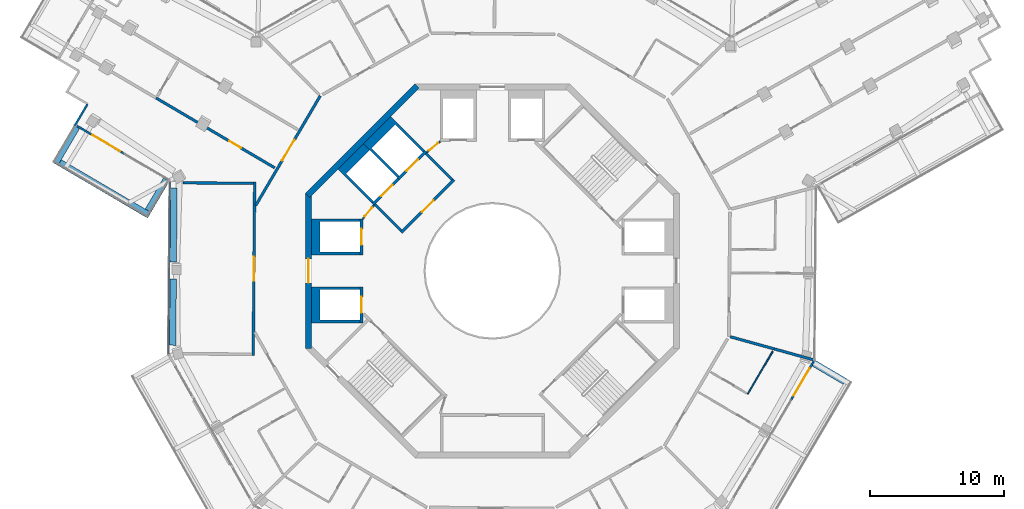
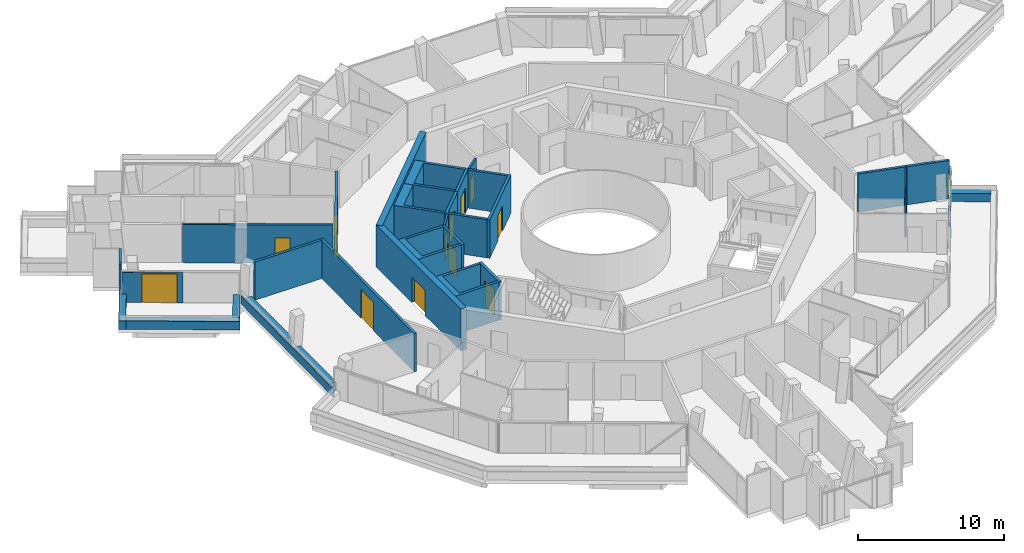
# One storey, part 18 of 24: 32 walls, 13 doors, 13 openings.
"""IFC4 building model written with IfcOpenShell, lengths in metres."""

from ifc_helpers import new_model, si_unit, direction, frame, frame_2d, origin, place, context, subcontext, project, spatial, polyline, rectangle, outline, extrude, material, layer, layer_set, type_object, element, fill, save


model = new_model("IFC4")

# Units and contexts
model_context = context("Model", 3, precision=1e-05, world=origin(), true_north=direction((0.0, 1.0)))
body_context = subcontext(model_context, "Body", "Model", "MODEL_VIEW")
ifc_project = project(units=[si_unit("LENGTHUNIT", "METRE"), si_unit("AREAUNIT", "SQUARE_METRE"), si_unit("VOLUMEUNIT", "CUBIC_METRE"), si_unit("PLANEANGLEUNIT", "RADIAN"), si_unit("MASSUNIT", "GRAM", prefix="KILO")], contexts=[model_context])

# Site, building, storey
site_placement = place(None, origin())
site = spatial("IfcSite", under=ifc_project, at=site_placement, CompositionType="ELEMENT")
building_placement = place(site_placement, origin())
building = spatial("IfcBuilding", under=site, at=building_placement, Name="Verdalira Terraces Hotel", CompositionType="ELEMENT")
storey_placement = place(building_placement, frame((0.0, 0.0, 277.5)))
storey = spatial("IfcBuildingStorey", under=building, at=storey_placement, Name="L68", CompositionType="ELEMENT", Elevation=277.5)

# Walls
ifc_material_1 = material(Name="Concrete C40", Category="concrete")
ifc_layer_1 = layer(ifc_material_1, 0.5)
ifc_layer_set_1 = layer_set([ifc_layer_1], Name="Balcony planter trough with tree")
wall_type_1 = type_object("IfcWallType", Name="Balcony planter trough with tree", PredefinedType="SOLIDWALL", material=ifc_layer_set_1)
wall_1_placement = place(storey_placement, frame((-31.130859, 10.779297, 0.0), z_axis=(0.0, 0.0, 1.0), x_axis=(-0.507226904, -0.861812548, 0.0)))
element("IfcWall", 1, at=wall_1_placement, inside=storey, type_object=wall_type_1, Name="Balcony planter", PredefinedType="SOLIDWALL", context=body_context, shape_type="SweptSolid", body=[
    extrude(rectangle(XDim=3.198975, YDim=0.5, at=frame_2d((1.599609, 0.0))), origin(), (0.0, 0.0, 1.0), 0.699951),
])
wall_2_placement = place(storey_placement, frame((-32.411133, 8.111084, 0.0), z_axis=(0.0, 0.0, 1.0), x_axis=(0.861799604, -0.507248896, 0.0)))
element("IfcWall", 2, at=wall_2_placement, inside=storey, type_object=wall_type_1, Name="Balcony planter", PredefinedType="SOLIDWALL", context=body_context, shape_type="SweptSolid", body=[
    extrude(rectangle(XDim=7.788086, YDim=0.5, at=frame_2d((3.894043, 0.0))), origin(), (0.0, 0.0, 1.0), 0.699951),
])
for number, where, z_axis, x_axis, name in (
    (3, (-25.788086, 4.50293, 0.0), (0.0, 0.0, 1.0), (0.507281009, 0.861780702, 0.0), "Balcony planter"),
    (4, (26.403076, -8.288086, 0.0), (0.0, 0.0, 1.0), (-0.861780702, 0.507281009, 0.0), "Balcony planter"),
):
    element("IfcWall", number, at=place(storey_placement, frame(where, z_axis=z_axis, x_axis=x_axis)), inside=storey, type_object=wall_type_1, Name=name, PredefinedType="SOLIDWALL", context=body_context, shape_type="SweptSolid", body=[
        extrude(rectangle(XDim=2.698975, YDim=0.5, at=frame_2d((1.349609, 0.0))), origin(), (0.0, 0.0, 1.0), 0.699951),
    ])
ifc_material_2 = material(Name="Moisture-resistant gypsum board partition")
ifc_layer_2 = layer(ifc_material_2, 0.10009765625)
ifc_layer_set_2 = layer_set([ifc_layer_2], Name="Bathroom partition 100 mm")
wall_type_2 = type_object("IfcWallType", Name="Bathroom partition 100 mm", PredefinedType="PARTITIONING", material=ifc_layer_set_2)
wall_3_placement = place(storey_placement, frame((19.126221, -9.217041, 0.0), z_axis=(0.0, 0.0, 1.0), x_axis=(0.507256305, 0.861795243, 0.0)))
element("IfcWall", 5, at=wall_3_placement, inside=storey, type_object=wall_type_2, Name="Bathroom partition", PredefinedType="PARTITIONING", context=body_context, shape_type="SweptSolid", body=[
    extrude(rectangle(XDim=3.704102, YDim=0.100098, at=frame_2d((1.852051, 0.0))), origin(), (0.0, 0.0, 1.0), 3.189941),
])
ifc_material_3 = material(Name="Concrete C50", Category="concrete")
ifc_layer_3 = layer(ifc_material_3, 0.199951171875)
ifc_layer_set_3 = layer_set([ifc_layer_3], Name="Core RC wall 200 C50")
wall_type_3 = type_object("IfcWallType", Name="Core RC wall 200 C50", PredefinedType="SOLIDWALL", material=ifc_layer_set_3)
wall_4_placement = place(storey_placement, origin())
element("IfcWall", 6, at=wall_4_placement, inside=storey, type_object=wall_type_3, Name="L68 shaft wall W1", PredefinedType="SOLIDWALL", context=body_context, shape_type="SweptSolid", body=[
    extrude(outline(polyline([(-13.550049, 3.899902), (-9.899902, 3.899902), (-9.899902, 3.699951), (-12.899902, 3.699951), (-12.899902, 1.399902), (-9.899902, 1.399902), (-9.899902, 1.199951), (-13.550049, 1.199951), (-13.550049, 3.899902)])), origin(), (0.0, 0.0, 1.0), 3.189941),
])

# Wall, opening, door
wall_5_placement = place(storey_placement, frame((-9.800049, 1.199951, 0.0), z_axis=(0.0, 0.0, 1.0), x_axis=(0.0, 1.0, 0.0)))
wall_5 = element("IfcWall", 7, at=wall_5_placement, inside=storey, type_object=wall_type_3, Name="L68 shaft front wall W1", PredefinedType="SOLIDWALL", context=body_context, shape_type="SweptSolid", body=[
    extrude(rectangle(XDim=2.699951, YDim=0.199951, at=frame_2d((1.350098, 0.0))), origin(), (0.0, 0.0, 1.0), 3.189941),
])
opening_1_placement = place(wall_5_placement, frame((0.75, 0.0, 0.0)))
opening_1 = element("IfcOpeningElement", 8, at=opening_1_placement, cuts=wall_5, Name="Opening LD-L68-806", PredefinedType="OPENING", context=body_context, shape_type="SweptSolid", body=[
    extrude(rectangle(XDim=1.199951, YDim=2.100098, at=frame_2d((0.600098, 1.050049))), frame((0.0, 0.109863, 0.0), z_axis=(0.0, -1.0, 0.0), x_axis=(1.0, 0.0, 0.0)), (0.0, 0.0, 1.0), 0.219971),
])
ifc_material_4 = material(Name="Stainless steel", Category="steel")
door_type_1 = type_object("IfcDoorType", Name="Landing door 1200 x 2100", OperationType="NOTDEFINED", PredefinedType="DOOR", material=ifc_material_4)
door_1_placement = place(opening_1_placement, origin())
door_1 = element("IfcDoor", 9, at=door_1_placement, inside=storey, type_object=door_type_1, Name="Lift landing door HR5 L68", OperationType="DOUBLE_DOOR_SLIDING", OverallHeight=2.10009765625, OverallWidth=1.199951171875, PredefinedType="DOOR", context=body_context, shape_type="SweptSolid", body=[
    extrude(rectangle(XDim=1.199951, YDim=2.100098, at=frame_2d((0.600098, 1.050049))), frame((0.0, 0.024902, 0.0), z_axis=(0.0, -1.0, 0.0), x_axis=(1.0, 0.0, 0.0)), (0.0, 0.0, 1.0), 0.050049),
])
fill(opening_1, door_1)

# Wall
wall_6_placement = place(storey_placement, origin())
element("IfcWall", 10, at=wall_6_placement, inside=storey, type_object=wall_type_3, Name="L68 shaft wall W2", PredefinedType="SOLIDWALL", context=body_context, shape_type="SweptSolid", body=[
    extrude(outline(polyline([(-13.550049, -3.899902), (-13.550049, -1.199951), (-9.899902, -1.199951), (-9.899902, -1.399902), (-12.899902, -1.399902), (-12.899902, -3.699951), (-9.899902, -3.699951), (-9.899902, -3.899902), (-13.550049, -3.899902)])), origin(), (0.0, 0.0, 1.0), 3.189941),
])

# Wall, opening, door
wall_7_placement = place(storey_placement, frame((-9.800049, -1.199951, 0.0), z_axis=(0.0, 0.0, 1.0), x_axis=(0.0, -1.0, 0.0)))
wall_7 = element("IfcWall", 11, at=wall_7_placement, inside=storey, type_object=wall_type_3, Name="L68 shaft front wall W2", PredefinedType="SOLIDWALL", context=body_context, shape_type="SweptSolid", body=[
    extrude(rectangle(XDim=2.699951, YDim=0.199951, at=frame_2d((1.350098, 0.0))), origin(), (0.0, 0.0, 1.0), 3.189941),
])
opening_2_placement = place(wall_7_placement, frame((0.75, 0.0, 0.0)))
opening_2 = element("IfcOpeningElement", 12, at=opening_2_placement, cuts=wall_7, Name="Opening LD-L68-807", PredefinedType="OPENING", context=body_context, shape_type="SweptSolid", body=[
    extrude(rectangle(XDim=1.199951, YDim=2.100098, at=frame_2d((0.600098, 1.050049))), frame((0.0, 0.109863, 0.0), z_axis=(0.0, -1.0, 0.0), x_axis=(1.0, 0.0, 0.0)), (0.0, 0.0, 1.0), 0.219971),
])
door_2_placement = place(opening_2_placement, origin())
door_2 = element("IfcDoor", 13, at=door_2_placement, inside=storey, type_object=door_type_1, Name="Lift landing door HR6 L68", OperationType="DOUBLE_DOOR_SLIDING", OverallHeight=2.10009765625, OverallWidth=1.199951171875, PredefinedType="DOOR", context=body_context, shape_type="SweptSolid", body=[
    extrude(rectangle(XDim=1.199951, YDim=2.100098, at=frame_2d((0.600098, 1.050049))), frame((0.0, 0.024902, 0.0), z_axis=(0.0, -1.0, 0.0), x_axis=(1.0, 0.0, 0.0)), (0.0, 0.0, 1.0), 0.050049),
])
fill(opening_2, door_2)

# Wall
wall_8_placement = place(storey_placement, origin())
element("IfcWall", 14, at=wall_8_placement, inside=storey, type_object=wall_type_3, Name="L68 shaft wall F1", PredefinedType="SOLIDWALL", context=body_context, shape_type="SweptSolid", body=[
    extrude(outline(polyline([(-9.6521, 9.510498), (-7.601318, 11.561279), (-5.055908, 9.015625), (-5.197266, 8.874268), (-7.283203, 10.960205), (-9.051025, 9.192383), (-6.965088, 7.106445), (-7.106445, 6.965088), (-9.6521, 9.510498)])), origin(), (0.0, 0.0, 1.0), 3.189941),
])

# Wall, opening, door
wall_9_placement = place(storey_placement, frame((-4.985107, 8.944824, 0.0), z_axis=(0.0, 0.0, 1.0), x_axis=(-0.707106781, -0.707106781, 0.0)))
wall_9 = element("IfcWall", 15, at=wall_9_placement, inside=storey, type_object=wall_type_3, Name="L68 shaft front wall F1", PredefinedType="SOLIDWALL", context=body_context, shape_type="SweptSolid", body=[
    extrude(rectangle(XDim=2.899902, YDim=0.199951, at=frame_2d((1.449951, 0.0))), origin(), (0.0, 0.0, 1.0), 3.189941),
])
opening_3_placement = place(wall_9_placement, frame((0.850098, 0.0, 0.0)))
opening_3 = element("IfcOpeningElement", 16, at=opening_3_placement, cuts=wall_9, Name="Opening LD-L68-808", PredefinedType="OPENING", context=body_context, shape_type="SweptSolid", body=[
    extrude(rectangle(XDim=1.199951, YDim=2.100098, at=frame_2d((0.600098, 1.050049))), frame((0.0, 0.109863, 0.0), z_axis=(0.0, -1.0, 0.0), x_axis=(1.0, 0.0, 0.0)), (0.0, 0.0, 1.0), 0.219971),
])
door_3_placement = place(opening_3_placement, origin())
door_3 = element("IfcDoor", 17, at=door_3_placement, inside=storey, type_object=door_type_1, Name="Lift landing door LF11 L68", OperationType="DOUBLE_DOOR_SLIDING", OverallHeight=2.10009765625, OverallWidth=1.199951171875, PredefinedType="DOOR", context=body_context, shape_type="SweptSolid", body=[
    extrude(rectangle(XDim=1.199951, YDim=2.100098, at=frame_2d((0.600098, 1.050049))), frame((0.0, 0.024902, 0.0), z_axis=(0.0, -1.0, 0.0), x_axis=(1.0, 0.0, 0.0)), (0.0, 0.0, 1.0), 0.050049),
])
fill(opening_3, door_3)

# Wall
wall_10_placement = place(storey_placement, origin())
element("IfcWall", 18, at=wall_10_placement, inside=storey, type_object=wall_type_3, Name="L68 shaft wall F2", PredefinedType="SOLIDWALL", context=body_context, shape_type="SweptSolid", body=[
    extrude(outline(polyline([(-11.561279, 7.601318), (-9.6521, 9.510498), (-9.192383, 9.051025), (-10.960205, 7.283203), (-8.874268, 5.197266), (-9.015625, 5.055908), (-11.561279, 7.601318)])), origin(), (0.0, 0.0, 1.0), 3.189941),
])

# Wall, opening, door
wall_11_placement = place(storey_placement, frame((-7.035645, 6.894287, 0.0), z_axis=(0.0, 0.0, 1.0), x_axis=(-0.707106781, -0.707106781, 0.0)))
wall_11 = element("IfcWall", 19, at=wall_11_placement, inside=storey, type_object=wall_type_3, Name="L68 shaft front wall F2", PredefinedType="SOLIDWALL", context=body_context, shape_type="SweptSolid", body=[
    extrude(rectangle(XDim=2.699951, YDim=0.199951, at=frame_2d((1.350098, 0.0))), origin(), (0.0, 0.0, 1.0), 3.189941),
])
opening_4_placement = place(wall_11_placement, frame((0.649902, 0.0, 0.0)))
opening_4 = element("IfcOpeningElement", 20, at=opening_4_placement, cuts=wall_11, Name="Opening LD-L68-809", PredefinedType="OPENING", context=body_context, shape_type="SweptSolid", body=[
    extrude(rectangle(XDim=1.199951, YDim=2.100098, at=frame_2d((0.600098, 1.050049))), frame((0.0, 0.109863, 0.0), z_axis=(0.0, -1.0, 0.0), x_axis=(1.0, 0.0, 0.0)), (0.0, 0.0, 1.0), 0.219971),
])
door_4_placement = place(opening_4_placement, origin())
door_4 = element("IfcDoor", 21, at=door_4_placement, inside=storey, type_object=door_type_1, Name="Lift landing door LF12 L68", OperationType="DOUBLE_DOOR_SLIDING", OverallHeight=2.10009765625, OverallWidth=1.199951171875, PredefinedType="DOOR", context=body_context, shape_type="SweptSolid", body=[
    extrude(rectangle(XDim=1.199951, YDim=2.100098, at=frame_2d((0.600098, 1.050049))), frame((0.0, 0.024902, 0.0), z_axis=(0.0, -1.0, 0.0), x_axis=(1.0, 0.0, 0.0)), (0.0, 0.0, 1.0), 0.050049),
])
fill(opening_4, door_4)

wall_12_placement = place(storey_placement, frame((-2.86377, 6.823486, 0.0), z_axis=(0.0, 0.0, 1.0), x_axis=(-0.707106781, -0.707106781, 0.0)))
wall_12 = element("IfcWall", 22, at=wall_12_placement, inside=storey, type_object=wall_type_3, Name="L68 fire lobby wall", PredefinedType="SOLIDWALL", context=body_context, shape_type="SweptSolid", body=[
    extrude(rectangle(XDim=5.599854, YDim=0.199951, at=frame_2d((2.799805, 0.0))), origin(), (0.0, 0.0, 1.0), 3.189941),
])
opening_5_placement = place(wall_12_placement, frame((2.199951, 0.0, 0.0)))
opening_5 = element("IfcOpeningElement", 23, at=opening_5_placement, cuts=wall_12, Name="Opening L68-819", PredefinedType="OPENING", context=body_context, shape_type="SweptSolid", body=[
    extrude(rectangle(XDim=1.199951, YDim=2.100098, at=frame_2d((0.600098, 1.050049))), frame((0.0, 0.109863, 0.0), z_axis=(0.0, -1.0, 0.0), x_axis=(1.0, 0.0, 0.0)), (0.0, 0.0, 1.0), 0.219971),
])
ifc_material_5 = material(Name="Steel fire door", Category="steel")
door_type_2 = type_object("IfcDoorType", Name="Lobby door 1200 x 2100", OperationType="NOTDEFINED", PredefinedType="DOOR", material=ifc_material_5)
door_5_placement = place(opening_5_placement, origin())
door_5 = element("IfcDoor", 24, at=door_5_placement, inside=storey, type_object=door_type_2, Name="Fire lobby door L68", OperationType="SINGLE_SWING_LEFT", OverallHeight=2.10009765625, OverallWidth=1.199951171875, PredefinedType="DOOR", context=body_context, shape_type="SweptSolid", body=[
    extrude(rectangle(XDim=1.199951, YDim=2.100098, at=frame_2d((0.600098, 1.050049))), frame((0.0, 0.024902, 0.0), z_axis=(0.0, -1.0, 0.0), x_axis=(1.0, 0.0, 0.0)), (0.0, 0.0, 1.0), 0.050049),
])
fill(opening_5, door_5)

# Walls
for number, where, z_axis, x_axis, name in (
    (25, (-3.005127, 6.823486, 0.0), (0.0, 0.0, 1.0), (-0.707106781, 0.707106781, 0.0), "L68 fire lobby wall"),
    (26, (-6.823486, 3.005127, 0.0), (0.0, 0.0, 1.0), (-0.707106781, 0.707106781, 0.0), "L68 fire lobby wall"),
):
    element("IfcWall", number, at=place(storey_placement, frame(where, z_axis=z_axis, x_axis=x_axis)), inside=storey, type_object=wall_type_3, Name=name, PredefinedType="SOLIDWALL", context=body_context, shape_type="SweptSolid", body=[
        extrude(rectangle(XDim=2.800049, YDim=0.199951, at=frame_2d((1.399902, 0.0))), origin(), (0.0, 0.0, 1.0), 3.189941),
    ])

# Wall, opening, door
ifc_material_6 = material(Name="Gypsum board partition")
ifc_layer_4 = layer(ifc_material_6, 0.14990234375)
ifc_layer_set_4 = layer_set([ifc_layer_4], Name="Core partition 150 mm")
wall_type_4 = type_object("IfcWallType", Name="Core partition 150 mm", PredefinedType="PARTITIONING", material=ifc_layer_set_4)
wall_13_placement = place(storey_placement, frame((-3.899902, 9.699951, 0.0), z_axis=(0.0, 0.0, 1.0), x_axis=(-0.775559878, -0.631274009, 0.0)))
wall_13 = element("IfcWall", 27, at=wall_13_placement, inside=storey, type_object=wall_type_4, Name="Room partition L68", PredefinedType="PARTITIONING", context=body_context, shape_type="SweptSolid", body=[
    extrude(rectangle(XDim=1.307861, YDim=0.149902, at=frame_2d((0.653809, 0.0))), origin(), (0.0, 0.0, 1.0), 3.189941),
])
opening_6_placement = place(wall_13_placement, frame((0.204102, 0.0, 0.0)))
opening_6 = element("IfcOpeningElement", 28, at=opening_6_placement, cuts=wall_13, Name="Opening L68-820", PredefinedType="OPENING", context=body_context, shape_type="SweptSolid", body=[
    extrude(rectangle(XDim=0.899902, YDim=2.100098, at=frame_2d((0.449951, 1.050049))), frame((0.0, 0.084961, 0.0), z_axis=(0.0, -1.0, 0.0), x_axis=(1.0, 0.0, 0.0)), (0.0, 0.0, 1.0), 0.169922),
])
ifc_material_7 = material(Name="Steel fire door", Category="steel")
door_type_3 = type_object("IfcDoorType", Name="Core room door 900 x 2100", OperationType="NOTDEFINED", PredefinedType="DOOR", material=ifc_material_7)
door_6_placement = place(opening_6_placement, origin())
door_6 = element("IfcDoor", 29, at=door_6_placement, inside=storey, type_object=door_type_3, Name="Door L68 room2", OperationType="SINGLE_SWING_LEFT", OverallHeight=2.10009765625, OverallWidth=0.89990234375, PredefinedType="DOOR", context=body_context, shape_type="SweptSolid", body=[
    extrude(rectangle(XDim=0.899902, YDim=2.100098, at=frame_2d((0.449951, 1.050049))), frame((0.0, 0.024902, 0.0), z_axis=(0.0, -1.0, 0.0), x_axis=(1.0, 0.0, 0.0)), (0.0, 0.0, 1.0), 0.050049),
])
fill(opening_6, door_6)

wall_14_placement = place(storey_placement, frame((-8.874268, 4.914307, 0.0), z_axis=(0.0, 0.0, 1.0), x_axis=(-0.631274009, -0.775559878, 0.0)))
wall_14 = element("IfcWall", 30, at=wall_14_placement, inside=storey, type_object=wall_type_4, Name="Room partition L68", PredefinedType="PARTITIONING", context=body_context, shape_type="SweptSolid", body=[
    extrude(rectangle(XDim=1.307861, YDim=0.149902, at=frame_2d((0.653809, 0.0))), origin(), (0.0, 0.0, 1.0), 3.189941),
])
opening_7_placement = place(wall_14_placement, frame((0.204102, 0.0, 0.0)))
opening_7 = element("IfcOpeningElement", 31, at=opening_7_placement, cuts=wall_14, Name="Opening L68-821", PredefinedType="OPENING", context=body_context, shape_type="SweptSolid", body=[
    extrude(rectangle(XDim=0.899902, YDim=2.100098, at=frame_2d((0.449951, 1.050049))), frame((0.0, 0.084961, 0.0), z_axis=(0.0, -1.0, 0.0), x_axis=(1.0, 0.0, 0.0)), (0.0, 0.0, 1.0), 0.169922),
])
door_7_placement = place(opening_7_placement, origin())
door_7 = element("IfcDoor", 32, at=door_7_placement, inside=storey, type_object=door_type_3, Name="Door L68 room3", OperationType="SINGLE_SWING_LEFT", OverallHeight=2.10009765625, OverallWidth=0.89990234375, PredefinedType="DOOR", context=body_context, shape_type="SweptSolid", body=[
    extrude(rectangle(XDim=0.899902, YDim=2.100098, at=frame_2d((0.449951, 1.050049))), frame((0.0, 0.024902, 0.0), z_axis=(0.0, -1.0, 0.0), x_axis=(1.0, 0.0, 0.0)), (0.0, 0.0, 1.0), 0.050049),
])
fill(opening_7, door_7)

# Wall
ifc_material_8 = material(Name="Concrete C50", Category="concrete")
ifc_layer_5 = layer(ifc_material_8, 0.449951171875)
ifc_layer_set_5 = layer_set([ifc_layer_5], Name="Core wall 450 C50")
wall_type_5 = type_object("IfcWallType", Name="Core wall 450 C50", PredefinedType="SHEAR", material=ifc_layer_set_5)
wall_15_placement = place(storey_placement, frame((-5.639893, 13.84082, 0.0), z_axis=(0.0, 0.0, 1.0), x_axis=(-0.707106781, -0.707106781, 0.0)))
element("IfcWall", 33, at=wall_15_placement, inside=storey, type_object=wall_type_5, Name="Core wall CW-L68-4", PredefinedType="SHEAR", context=body_context, shape_type="SweptSolid", body=[
    extrude(rectangle(XDim=11.5979, YDim=0.449951, at=frame_2d((5.798828, 0.0))), origin(), (0.0, 0.0, 1.0), 3.5),
])

# Wall, opening, door
wall_16_placement = place(storey_placement, frame((-13.774902, 5.799072, 0.0), z_axis=(0.0, 0.0, 1.0), x_axis=(0.0, -1.0, 0.0)))
wall_16 = element("IfcWall", 34, at=wall_16_placement, inside=storey, type_object=wall_type_5, Name="Core wall CW-L68-5", PredefinedType="SHEAR", context=body_context, shape_type="SweptSolid", body=[
    extrude(rectangle(XDim=11.598145, YDim=0.449951, at=frame_2d((5.799072, 0.0))), origin(), (0.0, 0.0, 1.0), 3.5),
])
opening_8_placement = place(wall_16_placement, frame((4.898926, 0.0, 0.0)))
opening_8 = element("IfcOpeningElement", 35, at=opening_8_placement, cuts=wall_16, Name="Opening L68-815", PredefinedType="OPENING", context=body_context, shape_type="SweptSolid", body=[
    extrude(rectangle(XDim=1.800049, YDim=2.100098, at=frame_2d((0.899902, 1.050049))), frame((0.0, 0.234863, 0.0), z_axis=(0.0, -1.0, 0.0), x_axis=(1.0, 0.0, 0.0)), (0.0, 0.0, 1.0), 0.469971),
])
ifc_material_9 = material(Name="Steel fire door", Category="steel")
door_type_4 = type_object("IfcDoorType", Name="Core entry door pair 1800 x 2100", OperationType="NOTDEFINED", PredefinedType="DOOR", material=ifc_material_9)
door_8_placement = place(opening_8_placement, origin())
door_8 = element("IfcDoor", 36, at=door_8_placement, inside=storey, type_object=door_type_4, Name="Core entry door L68 4", OperationType="DOUBLE_DOOR_SINGLE_SWING", OverallHeight=2.10009765625, OverallWidth=1.800048828125, PredefinedType="DOOR", context=body_context, shape_type="SweptSolid", body=[
    extrude(rectangle(XDim=1.800049, YDim=2.100098, at=frame_2d((0.899902, 1.050049))), frame((0.0, 0.024902, 0.0), z_axis=(0.0, -1.0, 0.0), x_axis=(1.0, 0.0, 0.0)), (0.0, 0.0, 1.0), 0.050049),
])
fill(opening_8, door_8)

ifc_material_10 = material(Name="Fire-rated gypsum board wall")
ifc_layer_6 = layer(ifc_material_10, 0.199951171875)
ifc_layer_set_6 = layer_set([ifc_layer_6], Name="Demising wall 200 mm")
wall_type_6 = type_object("IfcWallType", Name="Demising wall 200 mm", PredefinedType="SOLIDWALL", material=ifc_layer_set_6)
wall_17_placement = place(storey_placement, frame((-16.297363, 7.7146, 0.0), z_axis=(0.0, 0.0, 1.0), x_axis=(-0.861807473, 0.507235526, 0.0)))
wall_17 = element("IfcWall", 37, at=wall_17_placement, inside=storey, type_object=wall_type_6, Name="Demising wall", PredefinedType="SOLIDWALL", context=body_context, shape_type="SweptSolid", body=[
    extrude(rectangle(XDim=10.302002, YDim=0.199951, at=frame_2d((5.150879, 0.0))), origin(), (0.0, 0.0, 1.0), 3.189941),
])
opening_9_placement = place(wall_17_placement, frame((2.949951, 0.0, 0.0)))
opening_9 = element("IfcOpeningElement", 38, at=opening_9_placement, cuts=wall_17, Name="Opening L68-103", PredefinedType="OPENING", context=body_context, shape_type="SweptSolid", body=[
    extrude(rectangle(XDim=1.0, YDim=2.100098, at=frame_2d((0.5, 1.050049))), frame((0.0, 0.109863, 0.0), z_axis=(0.0, -1.0, 0.0), x_axis=(1.0, 0.0, 0.0)), (0.0, 0.0, 1.0), 0.219971),
])
ifc_material_11 = material(Name="Timber fire door", Category="wood")
door_type_5 = type_object("IfcDoorType", Name="Public room door 1000 x 2100", OperationType="NOTDEFINED", PredefinedType="DOOR", material=ifc_material_11)
door_9_placement = place(opening_9_placement, origin())
door_9 = element("IfcDoor", 39, at=door_9_placement, inside=storey, type_object=door_type_5, Name="Public room door 6801", OperationType="SINGLE_SWING_LEFT", OverallHeight=2.10009765625, OverallWidth=1.0, PredefinedType="DOOR", context=body_context, shape_type="SweptSolid", body=[
    extrude(rectangle(XDim=1.0, YDim=2.100098, at=frame_2d((0.5, 1.050049))), frame((0.0, 0.024902, 0.0), z_axis=(0.0, -1.0, 0.0), x_axis=(1.0, 0.0, 0.0)), (0.0, 0.0, 1.0), 0.050049),
])
fill(opening_9, door_9)

# Walls
wall_18_placement = place(storey_placement, frame((17.817627, -4.93457, 0.0), z_axis=(0.0, 0.0, 1.0), x_axis=(0.963722387, -0.266906652, 0.0)))
element("IfcWall", 40, at=wall_18_placement, inside=storey, type_object=wall_type_6, Name="Demising wall", PredefinedType="SOLIDWALL", context=body_context, shape_type="SweptSolid", body=[
    extrude(rectangle(XDim=3.416504, YDim=0.199951, at=frame_2d((1.708252, 0.0))), origin(), (0.0, 0.0, 1.0), 3.189941),
])
wall_19_placement = place(storey_placement, frame((21.110107, -5.846436, 0.0), z_axis=(0.0, 0.0, 1.0), x_axis=(0.963717706, -0.266923551, 0.0)))
element("IfcWall", 41, at=wall_19_placement, inside=storey, type_object=wall_type_6, Name="Demising wall", PredefinedType="SOLIDWALL", context=body_context, shape_type="SweptSolid", body=[
    extrude(rectangle(XDim=3.05957, YDim=0.199951, at=frame_2d((1.529785, 0.0))), origin(), (0.0, 0.0, 1.0), 3.189941),
])

# Wall, opening, door
ifc_material_12 = material(Name="Fire-rated gypsum board wall")
ifc_layer_7 = layer(ifc_material_12, 0.199951171875)
ifc_layer_set_7 = layer_set([ifc_layer_7], Name="Guest corridor wall 200 mm")
wall_type_7 = type_object("IfcWallType", Name="Guest corridor wall 200 mm", PredefinedType="SOLIDWALL", material=ifc_layer_set_7)
wall_20_placement = place(storey_placement, frame((-17.728027, 4.889648, 0.0), z_axis=(0.0, 0.0, 1.0), x_axis=(0.507241627, 0.861803883, 0.0)))
wall_20 = element("IfcWall", 42, at=wall_20_placement, inside=storey, type_object=wall_type_7, Name="Guest corridor wall", PredefinedType="SOLIDWALL", context=body_context, shape_type="SweptSolid", body=[
    extrude(rectangle(XDim=9.536621, YDim=0.199951, at=frame_2d((4.768311, 0.0))), origin(), (0.0, 0.0, 1.0), 3.189941),
])
opening_10_placement = place(wall_20_placement, frame((3.910156, 0.0, 0.0)))
opening_10 = element("IfcOpeningElement", 43, at=opening_10_placement, cuts=wall_20, Name="Opening L68-101", PredefinedType="OPENING", context=body_context, shape_type="SweptSolid", body=[
    extrude(rectangle(XDim=1.800049, YDim=2.100098, at=frame_2d((0.899902, 1.050049))), frame((0.0, 0.109863, 0.0), z_axis=(0.0, -1.0, 0.0), x_axis=(1.0, 0.0, 0.0)), (0.0, 0.0, 1.0), 0.219971),
])
ifc_material_13 = material(Name="Timber fire door", Category="wood")
door_type_6 = type_object("IfcDoorType", Name="Public room double door 1800 x 2100", OperationType="NOTDEFINED", PredefinedType="DOOR", material=ifc_material_13)
door_10_placement = place(opening_10_placement, origin())
door_10 = element("IfcDoor", 44, at=door_10_placement, inside=storey, type_object=door_type_6, Name="Public room double door 6801", OperationType="DOUBLE_DOOR_SINGLE_SWING", OverallHeight=2.10009765625, OverallWidth=1.800048828125, PredefinedType="DOOR", context=body_context, shape_type="SweptSolid", body=[
    extrude(rectangle(XDim=1.800049, YDim=2.100098, at=frame_2d((0.899902, 1.050049))), frame((0.0, 0.024902, 0.0), z_axis=(0.0, -1.0, 0.0), x_axis=(1.0, 0.0, 0.0)), (0.0, 0.0, 1.0), 0.050049),
])
fill(opening_10, door_10)

ifc_material_14 = material(Name="Terracotta cladding", Category="masonry")
ifc_layer_8 = layer(ifc_material_14, 0.199951171875)
ifc_layer_set_8 = layer_set([ifc_layer_8], Name="Loggia back wall 200")
wall_type_8 = type_object("IfcWallType", Name="Loggia back wall 200", PredefinedType="SOLIDWALL", material=ifc_layer_set_8)
wall_21_placement = place(storey_placement, frame((-17.912109, -6.350098, 0.0), z_axis=(0.0, 0.0, 1.0), x_axis=(0.008375922, 0.999964921, 0.0)))
wall_21 = element("IfcWall", 45, at=wall_21_placement, inside=storey, type_object=wall_type_8, Name="Loggia back wall", PredefinedType="SOLIDWALL", context=body_context, shape_type="SweptSolid", body=[
    extrude(rectangle(XDim=13.0, YDim=0.199951, at=frame_2d((6.5, 0.0))), origin(), (0.0, 0.0, 1.0), 3.189941),
])
opening_11_placement = place(wall_21_placement, frame((5.600098, 0.0, 0.0)))
opening_11 = element("IfcOpeningElement", 46, at=opening_11_placement, cuts=wall_21, Name="Opening L68-L01", PredefinedType="OPENING", context=body_context, shape_type="SweptSolid", body=[
    extrude(rectangle(XDim=1.800049, YDim=2.399902, at=frame_2d((0.899902, 1.199951))), frame((0.0, 0.109863, 0.0), z_axis=(0.0, -1.0, 0.0), x_axis=(1.0, 0.0, 0.0)), (0.0, 0.0, 1.0), 0.219971),
])
ifc_material_15 = material(Name="Clear glass", Category="glass")
door_type_7 = type_object("IfcDoorType", Name="Garden double door 1800x2400", OperationType="NOTDEFINED", PredefinedType="DOOR", material=ifc_material_15)
door_11_placement = place(opening_11_placement, origin())
door_11 = element("IfcDoor", 47, at=door_11_placement, inside=storey, type_object=door_type_7, Name="Loggia double door", OperationType="DOUBLE_DOOR_SINGLE_SWING", OverallHeight=2.39990234375, OverallWidth=1.800048828125, PredefinedType="DOOR", context=body_context, shape_type="SweptSolid", body=[
    extrude(rectangle(XDim=1.800049, YDim=2.399902, at=frame_2d((0.899902, 1.199951))), frame((0.0, 0.024902, 0.0), z_axis=(0.0, -1.0, 0.0), x_axis=(1.0, 0.0, 0.0)), (0.0, 0.0, 1.0), 0.050049),
])
fill(opening_11, door_11)

# Walls
wall_22_placement = place(storey_placement, frame((-23.15625, 6.594238, 0.0), z_axis=(0.0, 0.0, 1.0), x_axis=(0.999964998, -0.008366741, 0.0)))
element("IfcWall", 48, at=wall_22_placement, inside=storey, type_object=wall_type_8, Name="Loggia side wall", PredefinedType="SOLIDWALL", context=body_context, shape_type="SweptSolid", body=[
    extrude(rectangle(XDim=5.252441, YDim=0.199951, at=frame_2d((2.626221, 0.0))), origin(), (0.0, 0.0, 1.0), 3.189941),
])
ifc_material_16 = material(Name="Concrete C40", Category="concrete")
ifc_layer_9 = layer(ifc_material_16, 0.5)
ifc_layer_set_9 = layer_set([ifc_layer_9], Name="Loggia planter trough with tree")
wall_type_9 = type_object("IfcWallType", Name="Loggia planter trough with tree", PredefinedType="SOLIDWALL", material=ifc_layer_set_9)
wall_23_placement = place(storey_placement, frame((-23.857422, 6.189209, 0.0), z_axis=(0.0, 0.0, 1.0), x_axis=(-0.008374547, -0.999964933, 0.0)))
element("IfcWall", 49, at=wall_23_placement, inside=storey, type_object=wall_type_9, Name="Loggia planter", PredefinedType="SOLIDWALL", context=body_context, shape_type="SweptSolid", body=[
    extrude(rectangle(XDim=5.539062, YDim=0.5, at=frame_2d((2.769531, 0.0))), origin(), (0.0, 0.0, 1.0), 0.699951),
])
wall_24_placement = place(storey_placement, frame((-23.914307, -0.61084, 0.0), z_axis=(0.0, 0.0, 1.0), x_axis=(-0.008364614, -0.999965016, 0.0)))
element("IfcWall", 50, at=wall_24_placement, inside=storey, type_object=wall_type_9, Name="Loggia planter", PredefinedType="SOLIDWALL", context=body_context, shape_type="SweptSolid", body=[
    extrude(rectangle(XDim=4.961914, YDim=0.5, at=frame_2d((2.480957, 0.0))), origin(), (0.0, 0.0, 1.0), 0.699951),
])
ifc_material_17 = material(Name="Concrete C40", Category="concrete")
ifc_layer_10 = layer(ifc_material_17, 0.10009765625)
ifc_layer_set_10 = layer_set([ifc_layer_10], Name="Loggia upstand 100")
wall_type_10 = type_object("IfcWallType", Name="Loggia upstand 100", PredefinedType="SOLIDWALL", material=ifc_layer_set_10)
wall_25_placement = place(storey_placement, frame((-24.153809, 6.622559, 0.0), z_axis=(0.0, 0.0, 1.0), x_axis=(-0.008366158, -0.999965003, 0.0)))
element("IfcWall", 51, at=wall_25_placement, inside=storey, type_object=wall_type_10, Name="Loggia upstand", PredefinedType="SOLIDWALL", context=body_context, shape_type="SweptSolid", body=[
    extrude(rectangle(XDim=12.840088, YDim=0.100098, at=frame_2d((6.419922, 0.0))), origin(), (0.0, 0.0, 1.0), 0.699951),
])
ifc_material_18 = material(Name="Terracotta cladding", Category="masonry")
ifc_layer_11 = layer(ifc_material_18, 0.14990234375)
ifc_layer_set_11 = layer_set([ifc_layer_11], Name="Terracotta clad wall 150")
wall_type_11 = type_object("IfcWallType", Name="Terracotta clad wall 150", PredefinedType="SOLIDWALL", material=ifc_layer_set_11)
wall_26_placement = place(storey_placement, frame((-30.330078, 12.484863, 0.0), z_axis=(0.0, 0.0, 1.0), x_axis=(-0.507162378, -0.861850522, 0.0)))
element("IfcWall", 52, at=wall_26_placement, inside=storey, type_object=wall_type_11, Name="Terracotta cladding wall", PredefinedType="SOLIDWALL", context=body_context, shape_type="SweptSolid", body=[
    extrude(rectangle(XDim=1.875, YDim=0.149902, at=frame_2d((0.9375, 0.0))), origin(), (0.0, 0.0, 1.0), 3.189941),
])

# Wall, opening, door
ifc_material_19 = material(Name="Terracotta cladding", Category="masonry")
ifc_layer_12 = layer(ifc_material_19, 0.14990234375)
ifc_layer_set_12 = layer_set([ifc_layer_12], Name="Terracotta door pier 150")
wall_type_12 = type_object("IfcWallType", Name="Terracotta door pier 150", PredefinedType="SOLIDWALL", material=ifc_layer_set_12)
wall_27_placement = place(storey_placement, frame((-31.118164, 10.860107, 0.0), z_axis=(0.0, 0.0, 1.0), x_axis=(0.861811989, -0.507227853, 0.0)))
wall_27 = element("IfcWall", 53, at=wall_27_placement, inside=storey, type_object=wall_type_12, Name="Terracotta door pier", PredefinedType="SOLIDWALL", context=body_context, shape_type="SweptSolid", body=[
    extrude(rectangle(XDim=4.160156, YDim=0.149902, at=frame_2d((2.080078, 0.0))), origin(), (0.0, 0.0, 1.0), 2.524902),
])
opening_12_placement = place(wall_27_placement, frame((1.360107, 0.0, 0.0)))
opening_12 = element("IfcOpeningElement", 54, at=opening_12_placement, cuts=wall_27, Name="Opening L68-B03", PredefinedType="OPENING", context=body_context, shape_type="SweptSolid", body=[
    extrude(rectangle(XDim=2.399902, YDim=2.399902, at=frame_2d((1.199951, 1.199951))), frame((0.0, 0.084961, 0.0), z_axis=(0.0, -1.0, 0.0), x_axis=(1.0, 0.0, 0.0)), (0.0, 0.0, 1.0), 0.169922),
])
ifc_material_20 = material(Name="Clear glass", Category="glass")
door_type_8 = type_object("IfcDoorType", Name="Balcony sliding door 2400x2400", OperationType="NOTDEFINED", PredefinedType="DOOR", material=ifc_material_20)
door_12_placement = place(opening_12_placement, origin())
door_12 = element("IfcDoor", 55, at=door_12_placement, inside=storey, type_object=door_type_8, Name="Balcony sliding door", OperationType="SLIDING_TO_LEFT", OverallHeight=2.39990234375, OverallWidth=2.39990234375, PredefinedType="DOOR", context=body_context, shape_type="SweptSolid", body=[
    extrude(rectangle(XDim=2.399902, YDim=2.399902, at=frame_2d((1.199951, 1.199951))), frame((0.0, 0.024902, 0.0), z_axis=(0.0, -1.0, 0.0), x_axis=(1.0, 0.0, 0.0)), (0.0, 0.0, 1.0), 0.050049),
])
fill(opening_12, door_12)

wall_28_placement = place(storey_placement, frame((22.349365, -9.70459, 0.0), z_axis=(0.0, 0.0, 1.0), x_axis=(0.507238046, 0.86180599, 0.0)))
wall_28 = element("IfcWall", 56, at=wall_28_placement, inside=storey, type_object=wall_type_12, Name="Terracotta door pier", PredefinedType="SOLIDWALL", context=body_context, shape_type="SweptSolid", body=[
    extrude(rectangle(XDim=3.427002, YDim=0.149902, at=frame_2d((1.713379, 0.0))), origin(), (0.0, 0.0, 1.0), 2.524902),
])
opening_13_placement = place(wall_28_placement, frame((0.399902, 0.0, 0.0)))
opening_13 = element("IfcOpeningElement", 57, at=opening_13_placement, cuts=wall_28, Name="Opening L68-B11", PredefinedType="OPENING", context=body_context, shape_type="SweptSolid", body=[
    extrude(rectangle(XDim=2.399902, YDim=2.399902, at=frame_2d((1.199951, 1.199951))), frame((0.0, 0.084961, 0.0), z_axis=(0.0, -1.0, 0.0), x_axis=(1.0, 0.0, 0.0)), (0.0, 0.0, 1.0), 0.169922),
])
door_13_placement = place(opening_13_placement, origin())
door_13 = element("IfcDoor", 58, at=door_13_placement, inside=storey, type_object=door_type_8, Name="Balcony sliding door", OperationType="SLIDING_TO_RIGHT", OverallHeight=2.39990234375, OverallWidth=2.39990234375, PredefinedType="DOOR", context=body_context, shape_type="SweptSolid", body=[
    extrude(rectangle(XDim=2.399902, YDim=2.399902, at=frame_2d((1.199951, 1.199951))), frame((0.0, 0.024902, 0.0), z_axis=(0.0, -1.0, 0.0), x_axis=(1.0, 0.0, 0.0)), (0.0, 0.0, 1.0), 0.050049),
])
fill(opening_13, door_13)

save(model, "model.ifc")
